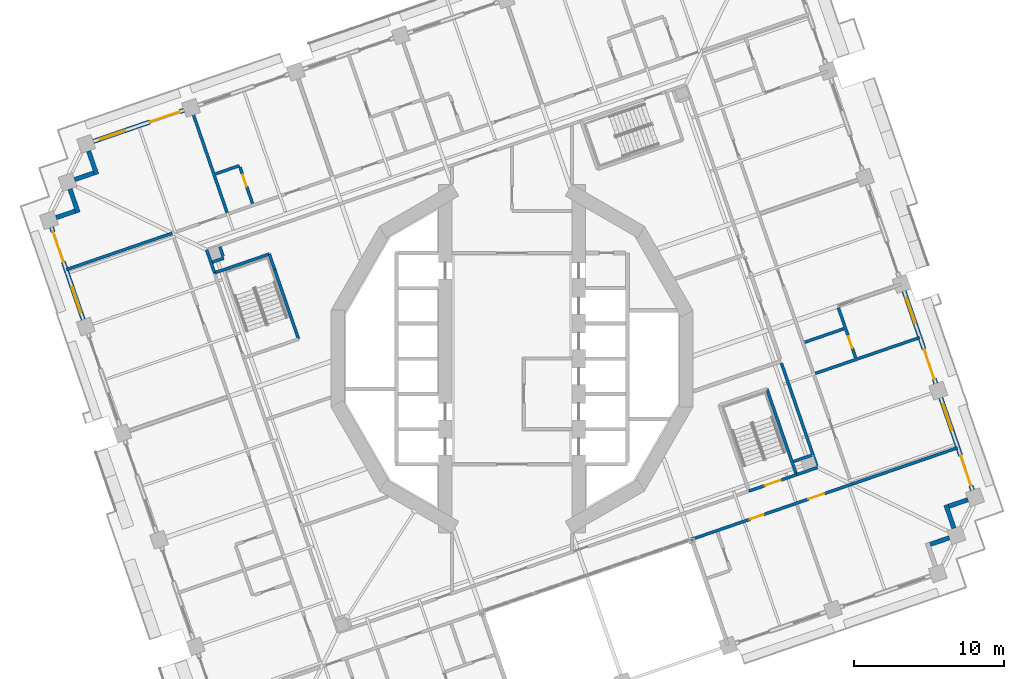
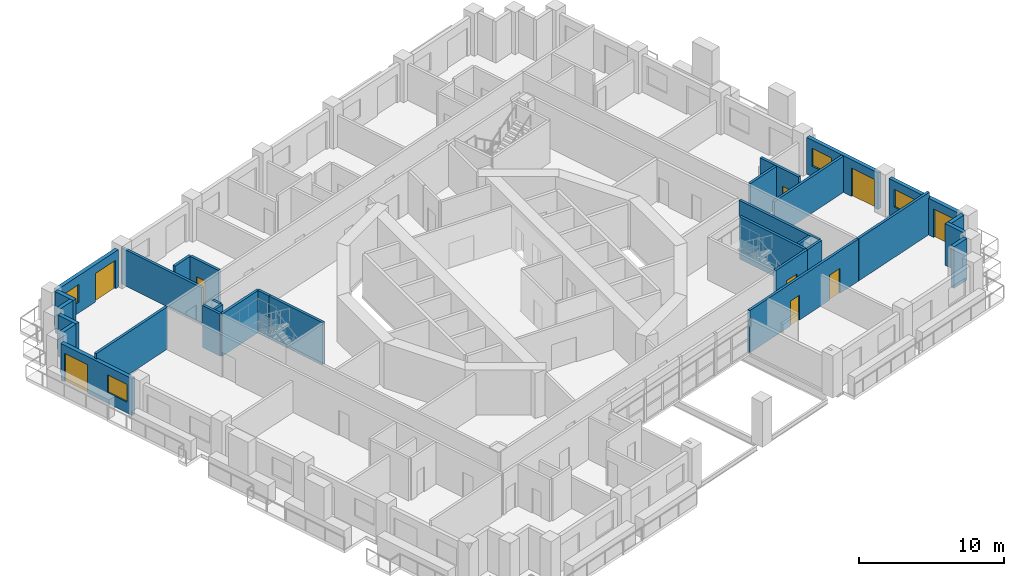
# One storey, part 11 of 22: 31 walls, 9 doors, 4 windows, 13 openings.
"""IFC4 building model written with IfcOpenShell, lengths in metres."""

from ifc_helpers import new_model, si_unit, direction, frame, frame_2d, origin, place, context, subcontext, project, spatial, rectangle, extrude, material, layer, layer_set, type_object, element, fill, save


model = new_model("IFC4")

# Units and contexts
model_context = context("Model", 3, precision=1e-05, world=origin(), true_north=direction((0.0, 1.0)))
body_context = subcontext(model_context, "Body", "Model", "MODEL_VIEW")
ifc_project = project(units=[si_unit("LENGTHUNIT", "METRE"), si_unit("AREAUNIT", "SQUARE_METRE"), si_unit("VOLUMEUNIT", "CUBIC_METRE"), si_unit("PLANEANGLEUNIT", "RADIAN"), si_unit("MASSUNIT", "GRAM", prefix="KILO")], contexts=[model_context])

# Site, building, storey
site_placement = place(None, origin())
site = spatial("IfcSite", under=ifc_project, at=site_placement, CompositionType="ELEMENT")
building_placement = place(site_placement, origin())
building = spatial("IfcBuilding", under=site, at=building_placement, Name="Cantera Rosa Tower", CompositionType="ELEMENT")
storey_placement = place(building_placement, frame((0.0, 0.0, 107.89990234375)))
storey = spatial("IfcBuildingStorey", under=building, at=storey_placement, Name="L21", CompositionType="ELEMENT", Elevation=107.89990234375)

# Wall
ifc_material_1 = material(Name="Gypsum board partition")
ifc_layer_1 = layer(ifc_material_1, 0.199951171875)
ifc_layer_set_1 = layer_set([ifc_layer_1], Name="CORRIDOR WALL 200 H3550")
wall_type_1 = type_object("IfcWallType", Name="CORRIDOR WALL 200 H3550", PredefinedType="PARTITIONING", material=ifc_layer_set_1)
wall_1_placement = place(storey_placement, frame((-20.37451171875, 7.262451171875, 0.0), z_axis=(0.0, 0.0, 1.0), x_axis=(0.325532736599, -0.945530770204, 0.0)))
element("IfcWall", 1, at=wall_1_placement, inside=storey, type_object=wall_type_1, Name="CORRIDOR WALL L21-003", PredefinedType="PARTITIONING", context=body_context, shape_type="SweptSolid", body=[
    extrude(rectangle(XDim=1.626708984375, YDim=0.199951171875, at=frame_2d((0.8134765625, 0.0))), origin(), (0.0, 0.0, 1.0), 3.550048828125),
])

# Wall, openings, doors
wall_2_placement = place(storey_placement, frame((11.85986328125, -12.097900390625, 0.0), z_axis=(0.0, 0.0, 1.0), x_axis=(0.945521627167, 0.325559291927, 0.0)))
wall_2 = element("IfcWall", 2, at=wall_2_placement, inside=storey, type_object=wall_type_1, Name="CORRIDOR WALL L21-024", PredefinedType="PARTITIONING", context=body_context, shape_type="SweptSolid", body=[
    extrude(rectangle(XDim=11.4248046875, YDim=0.199951171875, at=frame_2d((5.71240234375, 0.0))), origin(), (0.0, 0.0, 1.0), 3.550048828125),
])
opening_1_placement = place(wall_2_placement, frame((4.25, 0.0, 0.0)))
opening_1 = element("IfcOpeningElement", 3, at=opening_1_placement, cuts=wall_2, Name="Opening L21-044", PredefinedType="OPENING", context=body_context, shape_type="SweptSolid", body=[
    extrude(rectangle(XDim=0.949951171875, YDim=2.10009765625, at=frame_2d((0.47509765625, 1.050048828125))), frame((0.0, 0.10986328125, 0.0), z_axis=(0.0, -1.0, 0.0), x_axis=(1.0, 0.0, 0.0)), (0.0, 0.0, 1.0), 0.219970703125),
])
opening_2_placement = place(wall_2_placement, frame((8.375, 0.0, 0.0)))
opening_2 = element("IfcOpeningElement", 4, at=opening_2_placement, cuts=wall_2, Name="Opening L21-048", PredefinedType="OPENING", context=body_context, shape_type="SweptSolid", body=[
    extrude(rectangle(XDim=1.10009765625, YDim=2.10009765625, at=frame_2d((0.550048828125, 1.050048828125))), frame((0.0, 0.10986328125, 0.0), z_axis=(0.0, -1.0, 0.0), x_axis=(1.0, 0.0, 0.0)), (0.0, 0.0, 1.0), 0.219970703125),
])
ifc_material_2 = material(Name="Timber door leaf", Category="wood")
door_type_1 = type_object("IfcDoorType", Name="ROOM DOOR 1100x2100", OperationType="NOTDEFINED", PredefinedType="DOOR", material=ifc_material_2)
door_1_placement = place(opening_2_placement, origin())
door_1 = element("IfcDoor", 5, at=door_1_placement, inside=storey, type_object=door_type_1, Name="DOOR L21-048", OperationType="NOTDEFINED", OverallHeight=2.10009765625, OverallWidth=1.10009765625, PredefinedType="DOOR", context=body_context, shape_type="SweptSolid", body=[
    extrude(rectangle(XDim=1.10009765625, YDim=2.10009765625, at=frame_2d((0.550048828125, 1.050048828125))), frame((0.0, 0.02490234375, 0.0), z_axis=(0.0, -1.0, 0.0), x_axis=(1.0, 0.0, 0.0)), (0.0, 0.0, 1.0), 0.050048828125),
])
fill(opening_2, door_1)
ifc_material_3 = material(Name="Timber door leaf", Category="wood")
door_type_2 = type_object("IfcDoorType", Name="ROOM DOOR 950x2100", OperationType="NOTDEFINED", PredefinedType="DOOR", material=ifc_material_3)
door_2_placement = place(opening_1_placement, origin())
door_2 = element("IfcDoor", 6, at=door_2_placement, inside=storey, type_object=door_type_2, Name="DOOR L21-044", OperationType="NOTDEFINED", OverallHeight=2.10009765625, OverallWidth=0.949951171875, PredefinedType="DOOR", context=body_context, shape_type="SweptSolid", body=[
    extrude(rectangle(XDim=0.949951171875, YDim=2.10009765625, at=frame_2d((0.47509765625, 1.050048828125))), frame((0.0, 0.02490234375, 0.0), z_axis=(0.0, -1.0, 0.0), x_axis=(1.0, 0.0, 0.0)), (0.0, 0.0, 1.0), 0.050048828125),
])
fill(opening_1, door_2)

# Walls
wall_3_placement = place(storey_placement, frame((18.978271484375, -7.7431640625, 0.0), z_axis=(0.0, 0.0, 1.0), x_axis=(0.945529243519, 0.32553717092, 0.0)))
element("IfcWall", 7, at=wall_3_placement, inside=storey, type_object=wall_type_1, Name="CORRIDOR WALL L21-106", PredefinedType="PARTITIONING", context=body_context, shape_type="SweptSolid", body=[
    extrude(rectangle(XDim=1.4765625, YDim=0.199951171875, at=frame_2d((0.73828125, 0.0))), origin(), (0.0, 0.0, 1.0), 3.550048828125),
])
wall_4_placement = place(storey_placement, frame((20.33544921875, -7.14892578125, 0.0), z_axis=(0.0, 0.0, 1.0), x_axis=(-0.32558015452, 0.945514443561, 0.0)))
element("IfcWall", 8, at=wall_4_placement, inside=storey, type_object=wall_type_1, Name="CORRIDOR WALL L21-110", PredefinedType="PARTITIONING", context=body_context, shape_type="SweptSolid", body=[
    extrude(rectangle(XDim=7.239990234375, YDim=0.199951171875, at=frame_2d((3.6201171875, 0.0))), origin(), (0.0, 0.0, 1.0), 3.550048828125),
])
ifc_material_4 = material(Name="Hollow clay masonry with cantera stone cladding", Category="masonry")
ifc_layer_2 = layer(ifc_material_4, 0.300048828125)
ifc_layer_set_2 = layer_set([ifc_layer_2], Name="EW-LOGGIA 300")
wall_type_2 = type_object("IfcWallType", Name="EW-LOGGIA 300", PredefinedType="SOLIDWALL", material=ifc_layer_set_2)
wall_5_placement = place(storey_placement, frame((-28.250732421875, 13.857421875, 0.0), z_axis=(0.0, 0.0, 1.0), x_axis=(0.325666906351, -0.945484566827, 0.0)))
element("IfcWall", 9, at=wall_5_placement, inside=storey, type_object=wall_type_2, Name="EN-L21-W14a", PredefinedType="SOLIDWALL", context=body_context, shape_type="SweptSolid", body=[
    extrude(rectangle(XDim=1.64990234375, YDim=0.300048828125, at=frame_2d((0.824951171875, 0.0))), origin(), (0.0, 0.0, 1.0), 3.5),
])
wall_6_placement = place(storey_placement, frame((-27.904052734375, 12.390380859375, 0.0), z_axis=(0.0, 0.0, 1.0), x_axis=(-0.945545797087, -0.325489086777, 0.0)))
element("IfcWall", 10, at=wall_6_placement, inside=storey, type_object=wall_type_2, Name="EN-L21-W14b", PredefinedType="SOLIDWALL", context=body_context, shape_type="SweptSolid", body=[
    extrude(rectangle(XDim=1.35009765625, YDim=0.300048828125, at=frame_2d((0.675048828125, 0.0))), origin(), (0.0, 0.0, 1.0), 3.5),
])
wall_7_placement = place(storey_placement, frame((-29.490478515625, 11.315185546875, 0.0), z_axis=(0.0, 0.0, 1.0), x_axis=(0.32553462645, -0.945530119553, 0.0)))
element("IfcWall", 11, at=wall_7_placement, inside=storey, type_object=wall_type_2, Name="EN-L21-W15a", PredefinedType="SOLIDWALL", context=body_context, shape_type="SweptSolid", body=[
    extrude(rectangle(XDim=1.64990234375, YDim=0.300048828125, at=frame_2d((0.824951171875, 0.0))), origin(), (0.0, 0.0, 1.0), 3.5),
])
wall_8_placement = place(storey_placement, frame((-29.14404296875, 9.84814453125, 0.0), z_axis=(0.0, 0.0, 1.0), x_axis=(-0.945526634763, -0.325544748006, 0.0)))
element("IfcWall", 12, at=wall_8_placement, inside=storey, type_object=wall_type_2, Name="EN-L21-W15b", PredefinedType="SOLIDWALL", context=body_context, shape_type="SweptSolid", body=[
    extrude(rectangle(XDim=1.349853515625, YDim=0.300048828125, at=frame_2d((0.6748046875, 0.0))), origin(), (0.0, 0.0, 1.0), 3.5),
])
wall_9_placement = place(storey_placement, frame((27.904052734375, -12.390380859375, 0.0), z_axis=(0.0, 0.0, 1.0), x_axis=(0.945545797087, 0.325489086777, 0.0)))
element("IfcWall", 13, at=wall_9_placement, inside=storey, type_object=wall_type_2, Name="EN-L21-W29b", PredefinedType="SOLIDWALL", context=body_context, shape_type="SweptSolid", body=[
    extrude(rectangle(XDim=1.35009765625, YDim=0.300048828125, at=frame_2d((0.675048828125, 0.0))), origin(), (0.0, 0.0, 1.0), 3.5),
])
wall_10_placement = place(storey_placement, frame((29.490478515625, -11.315185546875, 0.0), z_axis=(0.0, 0.0, 1.0), x_axis=(-0.32553462645, 0.945530119553, 0.0)))
element("IfcWall", 14, at=wall_10_placement, inside=storey, type_object=wall_type_2, Name="EN-L21-W30a", PredefinedType="SOLIDWALL", context=body_context, shape_type="SweptSolid", body=[
    extrude(rectangle(XDim=1.64990234375, YDim=0.300048828125, at=frame_2d((0.824951171875, 0.0))), origin(), (0.0, 0.0, 1.0), 3.5),
])
wall_11_placement = place(storey_placement, frame((29.14404296875, -9.84814453125, 0.0), z_axis=(0.0, 0.0, 1.0), x_axis=(0.945526634763, 0.325544748006, 0.0)))
element("IfcWall", 15, at=wall_11_placement, inside=storey, type_object=wall_type_2, Name="EN-L21-W30b", PredefinedType="SOLIDWALL", context=body_context, shape_type="SweptSolid", body=[
    extrude(rectangle(XDim=1.349853515625, YDim=0.300048828125, at=frame_2d((0.6748046875, 0.0))), origin(), (0.0, 0.0, 1.0), 3.5),
])

# Wall, openings, window, door
ifc_material_5 = material(Name="Hollow clay masonry with cantera stone cladding", Category="masonry")
ifc_layer_3 = layer(ifc_material_5, 0.300048828125)
ifc_layer_set_3 = layer_set([ifc_layer_3], Name="EW-LOGGIA 300 H3090")
wall_type_3 = type_object("IfcWallType", Name="EW-LOGGIA 300 H3090", PredefinedType="SOLIDWALL", material=ifc_layer_set_3)
wall_12_placement = place(storey_placement, frame((30.73046875, -8.773193359375, 0.0), z_axis=(0.0, 0.0, 1.0), x_axis=(-0.325580990241, 0.945514155787, 0.0)))
wall_12 = element("IfcWall", 16, at=wall_12_placement, inside=storey, type_object=wall_type_3, Name="EN-L21-W01", PredefinedType="SOLIDWALL", context=body_context, shape_type="SweptSolid", body=[
    extrude(rectangle(XDim=6.52001953125, YDim=0.300048828125, at=frame_2d((3.260009765625, 0.0))), origin(), (0.0, 0.0, 1.0), 3.090087890625),
])
opening_3_placement = place(wall_12_placement, frame((0.330078125, 0.0, 0.0)))
opening_3 = element("IfcOpeningElement", 17, at=opening_3_placement, cuts=wall_12, Name="Opening L21-TD01", PredefinedType="OPENING", context=body_context, shape_type="SweptSolid", body=[
    extrude(rectangle(XDim=2.10009765625, YDim=2.39990234375, at=frame_2d((1.050048828125, 1.199951171875))), frame((0.0, 0.159912109375, 0.0), z_axis=(0.0, -1.0, 0.0), x_axis=(1.0, 0.0, 0.0)), (0.0, 0.0, 1.0), 0.320068359375),
])
opening_4_placement = place(wall_12_placement, frame((4.239990234375, 0.0, 0.89990234375)))
opening_4 = element("IfcOpeningElement", 18, at=opening_4_placement, cuts=wall_12, Name="Opening L21-W02", PredefinedType="OPENING", context=body_context, shape_type="SweptSolid", body=[
    extrude(rectangle(XDim=1.800048828125, YDim=1.5, at=frame_2d((0.89990234375, 0.75))), frame((0.0, 0.159912109375, 0.0), z_axis=(0.0, -1.0, 0.0), x_axis=(1.0, 0.0, 0.0)), (0.0, 0.0, 1.0), 0.320068359375),
])
ifc_material_6 = material(Name="Aluminium frame with clear glass", Category="aluminium")
window_type = type_object("IfcWindowType", Name="Hotel room window 1800x1500", PartitioningType="DOUBLE_PANEL_VERTICAL", PredefinedType="WINDOW", material=ifc_material_6)
window_1_placement = place(opening_4_placement, origin())
window_1 = element("IfcWindow", 19, at=window_1_placement, inside=storey, type_object=window_type, Name="WINDOW L21-W02", OverallHeight=1.5, OverallWidth=1.800048828125, PartitioningType="SINGLE_PANEL", PredefinedType="WINDOW", context=body_context, shape_type="SweptSolid", body=[
    extrude(rectangle(XDim=1.800048828125, YDim=1.5, at=frame_2d((0.89990234375, 0.75))), frame((0.0, 0.030029296875, 0.0), z_axis=(0.0, -1.0, 0.0), x_axis=(1.0, 0.0, 0.0)), (0.0, 0.0, 1.0), 0.06005859375),
])
fill(opening_4, window_1)
ifc_material_7 = material(Name="Aluminium frame with clear glass", Category="aluminium")
door_type_3 = type_object("IfcDoorType", Name="TD-H 2100x2400", OperationType="NOTDEFINED", PredefinedType="DOOR", material=ifc_material_7)
door_3_placement = place(opening_3_placement, origin())
door_3 = element("IfcDoor", 20, at=door_3_placement, inside=storey, type_object=door_type_3, Name="LOGGIA DOOR L21-TD01", OperationType="SLIDING_TO_LEFT", OverallHeight=2.39990234375, OverallWidth=2.10009765625, PredefinedType="DOOR", context=body_context, shape_type="SweptSolid", body=[
    extrude(rectangle(XDim=2.10009765625, YDim=2.39990234375, at=frame_2d((1.050048828125, 1.199951171875))), frame((0.0, 0.02490234375, 0.0), z_axis=(0.0, -1.0, 0.0), x_axis=(1.0, 0.0, 0.0)), (0.0, 0.0, 1.0), 0.050048828125),
])
fill(opening_3, door_3)

wall_13_placement = place(storey_placement, frame((28.2822265625, -1.662841796875, 0.0), z_axis=(0.0, 0.0, 1.0), x_axis=(-0.325580990241, 0.945514155787, 0.0)))
wall_13 = element("IfcWall", 21, at=wall_13_placement, inside=storey, type_object=wall_type_3, Name="EN-L21-W02", PredefinedType="SOLIDWALL", context=body_context, shape_type="SweptSolid", body=[
    extrude(rectangle(XDim=6.52001953125, YDim=0.300048828125, at=frame_2d((3.260009765625, 0.0))), origin(), (0.0, 0.0, 1.0), 3.090087890625),
])
opening_5_placement = place(wall_13_placement, frame((0.330078125, 0.0, 0.0)))
opening_5 = element("IfcOpeningElement", 22, at=opening_5_placement, cuts=wall_13, Name="Opening L21-TD03", PredefinedType="OPENING", context=body_context, shape_type="SweptSolid", body=[
    extrude(rectangle(XDim=2.10009765625, YDim=2.39990234375, at=frame_2d((1.050048828125, 1.199951171875))), frame((0.0, 0.159912109375, 0.0), z_axis=(0.0, -1.0, 0.0), x_axis=(1.0, 0.0, 0.0)), (0.0, 0.0, 1.0), 0.320068359375),
])
opening_6_placement = place(wall_13_placement, frame((4.239990234375, 0.0, 0.89990234375)))
opening_6 = element("IfcOpeningElement", 23, at=opening_6_placement, cuts=wall_13, Name="Opening L21-W04", PredefinedType="OPENING", context=body_context, shape_type="SweptSolid", body=[
    extrude(rectangle(XDim=1.800048828125, YDim=1.5, at=frame_2d((0.89990234375, 0.75))), frame((0.0, 0.159912109375, 0.0), z_axis=(0.0, -1.0, 0.0), x_axis=(1.0, 0.0, 0.0)), (0.0, 0.0, 1.0), 0.320068359375),
])
window_2_placement = place(opening_6_placement, origin())
window_2 = element("IfcWindow", 24, at=window_2_placement, inside=storey, type_object=window_type, Name="WINDOW L21-W04", OverallHeight=1.5, OverallWidth=1.800048828125, PartitioningType="SINGLE_PANEL", PredefinedType="WINDOW", context=body_context, shape_type="SweptSolid", body=[
    extrude(rectangle(XDim=1.800048828125, YDim=1.5, at=frame_2d((0.89990234375, 0.75))), frame((0.0, 0.030029296875, 0.0), z_axis=(0.0, -1.0, 0.0), x_axis=(1.0, 0.0, 0.0)), (0.0, 0.0, 1.0), 0.06005859375),
])
fill(opening_6, window_2)
door_4_placement = place(opening_5_placement, origin())
door_4 = element("IfcDoor", 25, at=door_4_placement, inside=storey, type_object=door_type_3, Name="LOGGIA DOOR L21-TD03", OperationType="SLIDING_TO_LEFT", OverallHeight=2.39990234375, OverallWidth=2.10009765625, PredefinedType="DOOR", context=body_context, shape_type="SweptSolid", body=[
    extrude(rectangle(XDim=2.10009765625, YDim=2.39990234375, at=frame_2d((1.050048828125, 1.199951171875))), frame((0.0, 0.02490234375, 0.0), z_axis=(0.0, -1.0, 0.0), x_axis=(1.0, 0.0, 0.0)), (0.0, 0.0, 1.0), 0.050048828125),
])
fill(opening_5, door_4)

wall_14_placement = place(storey_placement, frame((-30.73046875, 8.773193359375, 0.0), z_axis=(0.0, 0.0, 1.0), x_axis=(0.325580990241, -0.945514155787, 0.0)))
wall_14 = element("IfcWall", 26, at=wall_14_placement, inside=storey, type_object=wall_type_3, Name="EN-L21-W16", PredefinedType="SOLIDWALL", context=body_context, shape_type="SweptSolid", body=[
    extrude(rectangle(XDim=6.52001953125, YDim=0.300048828125, at=frame_2d((3.260009765625, 0.0))), origin(), (0.0, 0.0, 1.0), 3.090087890625),
])
opening_7_placement = place(wall_14_placement, frame((0.330078125, 0.0, 0.0)))
opening_7 = element("IfcOpeningElement", 27, at=opening_7_placement, cuts=wall_14, Name="Opening L21-TD23", PredefinedType="OPENING", context=body_context, shape_type="SweptSolid", body=[
    extrude(rectangle(XDim=2.10009765625, YDim=2.39990234375, at=frame_2d((1.050048828125, 1.199951171875))), frame((0.0, 0.159912109375, 0.0), z_axis=(0.0, -1.0, 0.0), x_axis=(1.0, 0.0, 0.0)), (0.0, 0.0, 1.0), 0.320068359375),
])
opening_8_placement = place(wall_14_placement, frame((4.239990234375, 0.0, 0.89990234375)))
opening_8 = element("IfcOpeningElement", 28, at=opening_8_placement, cuts=wall_14, Name="Opening L21-W24", PredefinedType="OPENING", context=body_context, shape_type="SweptSolid", body=[
    extrude(rectangle(XDim=1.800048828125, YDim=1.5, at=frame_2d((0.89990234375, 0.75))), frame((0.0, 0.159912109375, 0.0), z_axis=(0.0, -1.0, 0.0), x_axis=(1.0, 0.0, 0.0)), (0.0, 0.0, 1.0), 0.320068359375),
])
window_3_placement = place(opening_8_placement, origin())
window_3 = element("IfcWindow", 29, at=window_3_placement, inside=storey, type_object=window_type, Name="WINDOW L21-W24", OverallHeight=1.5, OverallWidth=1.800048828125, PartitioningType="SINGLE_PANEL", PredefinedType="WINDOW", context=body_context, shape_type="SweptSolid", body=[
    extrude(rectangle(XDim=1.800048828125, YDim=1.5, at=frame_2d((0.89990234375, 0.75))), frame((0.0, 0.030029296875, 0.0), z_axis=(0.0, -1.0, 0.0), x_axis=(1.0, 0.0, 0.0)), (0.0, 0.0, 1.0), 0.06005859375),
])
fill(opening_8, window_3)
door_5_placement = place(opening_7_placement, origin())
door_5 = element("IfcDoor", 30, at=door_5_placement, inside=storey, type_object=door_type_3, Name="LOGGIA DOOR L21-TD23", OperationType="SLIDING_TO_LEFT", OverallHeight=2.39990234375, OverallWidth=2.10009765625, PredefinedType="DOOR", context=body_context, shape_type="SweptSolid", body=[
    extrude(rectangle(XDim=2.10009765625, YDim=2.39990234375, at=frame_2d((1.050048828125, 1.199951171875))), frame((0.0, 0.02490234375, 0.0), z_axis=(0.0, -1.0, 0.0), x_axis=(1.0, 0.0, 0.0)), (0.0, 0.0, 1.0), 0.050048828125),
])
fill(opening_7, door_5)

ifc_material_8 = material(Name="Hollow clay masonry with cantera stone cladding", Category="masonry")
ifc_layer_4 = layer(ifc_material_8, 0.300048828125)
ifc_layer_set_4 = layer_set([ifc_layer_4], Name="EW-LOGGIA 300 H3140")
wall_type_4 = type_object("IfcWallType", Name="EW-LOGGIA 300 H3140", PredefinedType="SOLIDWALL", material=ifc_layer_set_4)
wall_15_placement = place(storey_placement, frame((-21.889404296875, 16.57666015625, 0.0), z_axis=(0.0, 0.0, 1.0), x_axis=(-0.945512753621, -0.325585062219, 0.0)))
wall_15 = element("IfcWall", 31, at=wall_15_placement, inside=storey, type_object=wall_type_4, Name="EN-L21-W13", PredefinedType="SOLIDWALL", context=body_context, shape_type="SweptSolid", body=[
    extrude(rectangle(XDim=6.39990234375, YDim=0.300048828125, at=frame_2d((3.199951171875, 0.0))), origin(), (0.0, 0.0, 1.0), 3.14013671875),
])
opening_9_placement = place(wall_15_placement, frame((0.300048828125, 0.0, 0.0)))
opening_9 = element("IfcOpeningElement", 32, at=opening_9_placement, cuts=wall_15, Name="Opening L21-TD21", PredefinedType="OPENING", context=body_context, shape_type="SweptSolid", body=[
    extrude(rectangle(XDim=2.10009765625, YDim=2.39990234375, at=frame_2d((1.050048828125, 1.199951171875))), frame((0.0, 0.159912109375, 0.0), z_axis=(0.0, -1.0, 0.0), x_axis=(1.0, 0.0, 0.0)), (0.0, 0.0, 1.0), 0.320068359375),
])
opening_10_placement = place(wall_15_placement, frame((4.14990234375, 0.0, 0.89990234375)))
opening_10 = element("IfcOpeningElement", 33, at=opening_10_placement, cuts=wall_15, Name="Opening L21-W22", PredefinedType="OPENING", context=body_context, shape_type="SweptSolid", body=[
    extrude(rectangle(XDim=1.800048828125, YDim=1.5, at=frame_2d((0.89990234375, 0.75))), frame((0.0, 0.159912109375, 0.0), z_axis=(0.0, -1.0, 0.0), x_axis=(1.0, 0.0, 0.0)), (0.0, 0.0, 1.0), 0.320068359375),
])
window_4_placement = place(opening_10_placement, origin())
window_4 = element("IfcWindow", 34, at=window_4_placement, inside=storey, type_object=window_type, Name="WINDOW L21-W22", OverallHeight=1.5, OverallWidth=1.800048828125, PartitioningType="SINGLE_PANEL", PredefinedType="WINDOW", context=body_context, shape_type="SweptSolid", body=[
    extrude(rectangle(XDim=1.800048828125, YDim=1.5, at=frame_2d((0.89990234375, 0.75))), frame((0.0, 0.030029296875, 0.0), z_axis=(0.0, -1.0, 0.0), x_axis=(1.0, 0.0, 0.0)), (0.0, 0.0, 1.0), 0.06005859375),
])
fill(opening_10, window_4)
door_6_placement = place(opening_9_placement, origin())
door_6 = element("IfcDoor", 35, at=door_6_placement, inside=storey, type_object=door_type_3, Name="LOGGIA DOOR L21-TD21", OperationType="SLIDING_TO_LEFT", OverallHeight=2.39990234375, OverallWidth=2.10009765625, PredefinedType="DOOR", context=body_context, shape_type="SweptSolid", body=[
    extrude(rectangle(XDim=2.10009765625, YDim=2.39990234375, at=frame_2d((1.050048828125, 1.199951171875))), frame((0.0, 0.02490234375, 0.0), z_axis=(0.0, -1.0, 0.0), x_axis=(1.0, 0.0, 0.0)), (0.0, 0.0, 1.0), 0.050048828125),
])
fill(opening_9, door_6)

# Walls
ifc_material_9 = material(Name="Gypsum board partition")
ifc_layer_5 = layer(ifc_material_9, 0.199951171875)
ifc_layer_set_5 = layer_set([ifc_layer_5], Name="PARTITION 200 H3550")
wall_type_5 = type_object("IfcWallType", Name="PARTITION 200 H3550", PredefinedType="PARTITIONING", material=ifc_layer_set_5)
wall_16_placement = place(storey_placement, frame((-22.662353515625, 8.37841796875, 0.0), z_axis=(0.0, 0.0, 1.0), x_axis=(-0.945512517373, -0.325585748291, 0.0)))
element("IfcWall", 36, at=wall_16_placement, inside=storey, type_object=wall_type_5, Name="PARTITION L21-001", PredefinedType="PARTITIONING", context=body_context, shape_type="SweptSolid", body=[
    extrude(rectangle(XDim=7.469970703125, YDim=0.199951171875, at=frame_2d((3.73486328125, 0.0))), origin(), (0.0, 0.0, 1.0), 3.550048828125),
])
wall_17_placement = place(storey_placement, frame((-19.98681640625, 6.444091796875, 0.0), z_axis=(0.0, 0.0, 1.0), x_axis=(0.945586856903, 0.325369783557, 0.0)))
element("IfcWall", 37, at=wall_17_placement, inside=storey, type_object=wall_type_5, Name="PARTITION L21-004", PredefinedType="PARTITIONING", context=body_context, shape_type="SweptSolid", body=[
    extrude(rectangle(XDim=0.7998046875, YDim=0.199951171875, at=frame_2d((0.39990234375, 0.0))), origin(), (0.0, 0.0, 1.0), 3.550048828125),
])
wall_18_placement = place(storey_placement, frame((-19.77294921875, 12.33447265625, 0.0), z_axis=(0.0, 0.0, 1.0), x_axis=(0.945482578037, 0.3256726802, 0.0)))
element("IfcWall", 38, at=wall_18_placement, inside=storey, type_object=wall_type_5, Name="PARTITION L21-005", PredefinedType="PARTITIONING", context=body_context, shape_type="SweptSolid", body=[
    extrude(rectangle(XDim=1.679931640625, YDim=0.199951171875, at=frame_2d((0.83984375, 0.0))), origin(), (0.0, 0.0, 1.0), 3.550048828125),
])
wall_19_placement = place(storey_placement, frame((-19.26953125, 6.81787109375, 0.0), z_axis=(0.0, 0.0, 1.0), x_axis=(-0.325581333382, 0.945514037629, 0.0)))
element("IfcWall", 39, at=wall_19_placement, inside=storey, type_object=wall_type_5, Name="PARTITION L21-008", PredefinedType="PARTITIONING", context=body_context, shape_type="SweptSolid", body=[
    extrude(rectangle(XDim=0.68017578125, YDim=0.199951171875, at=frame_2d((0.340087890625, 0.0))), origin(), (0.0, 0.0, 1.0), 3.550048828125),
])

# Wall, opening, door
wall_20_placement = place(storey_placement, frame((-18.152099609375, 12.786865234375, 0.0), z_axis=(0.0, 0.0, 1.0), x_axis=(0.325608632474, -0.945504636931, 0.0)))
wall_20 = element("IfcWall", 40, at=wall_20_placement, inside=storey, type_object=wall_type_5, Name="PARTITION L21-012", PredefinedType="PARTITIONING", context=body_context, shape_type="SweptSolid", body=[
    extrude(rectangle(XDim=2.580078125, YDim=0.199951171875, at=frame_2d((1.2900390625, 0.0))), origin(), (0.0, 0.0, 1.0), 3.550048828125),
])
opening_11_placement = place(wall_20_placement, frame((0.56396484375, 0.0, 0.0)))
opening_11 = element("IfcOpeningElement", 41, at=opening_11_placement, cuts=wall_20, Name="Opening L21-032", PredefinedType="OPENING", context=body_context, shape_type="SweptSolid", body=[
    extrude(rectangle(XDim=0.800048828125, YDim=2.10009765625, at=frame_2d((0.39990234375, 1.050048828125))), frame((0.0, 0.10986328125, 0.0), z_axis=(0.0, -1.0, 0.0), x_axis=(1.0, 0.0, 0.0)), (0.0, 0.0, 1.0), 0.219970703125),
])
ifc_material_10 = material(Name="Timber door leaf", Category="wood")
door_type_4 = type_object("IfcDoorType", Name="BATHROOM DOOR 800x2100", OperationType="NOTDEFINED", PredefinedType="DOOR", material=ifc_material_10)
door_7_placement = place(opening_11_placement, origin())
door_7 = element("IfcDoor", 42, at=door_7_placement, inside=storey, type_object=door_type_4, Name="DOOR L21-032", OperationType="NOTDEFINED", OverallHeight=2.10009765625, OverallWidth=0.800048828125, PredefinedType="DOOR", context=body_context, shape_type="SweptSolid", body=[
    extrude(rectangle(XDim=0.800048828125, YDim=2.10009765625, at=frame_2d((0.39990234375, 1.050048828125))), frame((0.0, 0.02490234375, 0.0), z_axis=(0.0, -1.0, 0.0), x_axis=(1.0, 0.0, 0.0)), (0.0, 0.0, 1.0), 0.050048828125),
])
fill(opening_11, door_7)

# Walls
wall_21_placement = place(storey_placement, frame((19.526611328125, 1.096923828125, 0.0), z_axis=(0.0, 0.0, 1.0), x_axis=(0.945505446379, 0.325606281984, 0.0)))
element("IfcWall", 43, at=wall_21_placement, inside=storey, type_object=wall_type_5, Name="PARTITION L21-107", PredefinedType="PARTITIONING", context=body_context, shape_type="SweptSolid", body=[
    extrude(rectangle(XDim=2.760009765625, YDim=0.199951171875, at=frame_2d((1.3798828125, 0.0))), origin(), (0.0, 0.0, 1.0), 3.550048828125),
])
wall_22_placement = place(storey_placement, frame((19.98681640625, -6.444091796875, 0.0), z_axis=(0.0, 0.0, 1.0), x_axis=(-0.94553951581, -0.325507333315, 0.0)))
element("IfcWall", 44, at=wall_22_placement, inside=storey, type_object=wall_type_5, Name="PARTITION L21-108", PredefinedType="PARTITIONING", context=body_context, shape_type="SweptSolid", body=[
    extrude(rectangle(XDim=1.276611328125, YDim=0.199951171875, at=frame_2d((0.63818359375, 0.0))), origin(), (0.0, 0.0, 1.0), 3.550048828125),
])

# Wall, opening, door
wall_23_placement = place(storey_placement, frame((22.927001953125, 0.068115234375, 0.0), z_axis=(0.0, 0.0, 1.0), x_axis=(-0.325575965973, 0.945515885843, 0.0)))
wall_23 = element("IfcWall", 45, at=wall_23_placement, inside=storey, type_object=wall_type_5, Name="PARTITION L21-114", PredefinedType="PARTITIONING", context=body_context, shape_type="SweptSolid", body=[
    extrude(rectangle(XDim=3.52001953125, YDim=0.199951171875, at=frame_2d((1.760009765625, 0.0))), origin(), (0.0, 0.0, 1.0), 3.550048828125),
])
opening_12_placement = place(wall_23_placement, frame((0.68994140625, 0.0, 0.0)))
opening_12 = element("IfcOpeningElement", 46, at=opening_12_placement, cuts=wall_23, Name="Opening L21-020", PredefinedType="OPENING", context=body_context, shape_type="SweptSolid", body=[
    extrude(rectangle(XDim=0.800048828125, YDim=2.10009765625, at=frame_2d((0.39990234375, 1.050048828125))), frame((0.0, 0.10986328125, 0.0), z_axis=(0.0, -1.0, 0.0), x_axis=(1.0, 0.0, 0.0)), (0.0, 0.0, 1.0), 0.219970703125),
])
door_8_placement = place(opening_12_placement, origin())
door_8 = element("IfcDoor", 47, at=door_8_placement, inside=storey, type_object=door_type_4, Name="DOOR L21-020", OperationType="NOTDEFINED", OverallHeight=2.10009765625, OverallWidth=0.800048828125, PredefinedType="DOOR", context=body_context, shape_type="SweptSolid", body=[
    extrude(rectangle(XDim=0.800048828125, YDim=2.10009765625, at=frame_2d((0.39990234375, 1.050048828125))), frame((0.0, 0.02490234375, 0.0), z_axis=(0.0, -1.0, 0.0), x_axis=(1.0, 0.0, 0.0)), (0.0, 0.0, 1.0), 0.050048828125),
])
fill(opening_12, door_8)

# Walls
wall_24_placement = place(storey_placement, frame((29.725341796875, -5.9462890625, 0.0), z_axis=(0.0, 0.0, 1.0), x_axis=(-0.945513938048, -0.325581622574, 0.0)))
element("IfcWall", 48, at=wall_24_placement, inside=storey, type_object=wall_type_5, Name="PARTITION L21-115", PredefinedType="PARTITIONING", context=body_context, shape_type="SweptSolid", body=[
    extrude(rectangle(XDim=7.449951171875, YDim=0.199951171875, at=frame_2d((3.72509765625, 0.0))), origin(), (0.0, 0.0, 1.0), 3.550048828125),
])
ifc_material_11 = material(Name="Gypsum board partition")
ifc_layer_6 = layer(ifc_material_11, 0.199951171875)
ifc_layer_set_6 = layer_set([ifc_layer_6], Name="PARTY WALL 200 H3050")
wall_type_6 = type_object("IfcWallType", Name="PARTY WALL 200 H3050", PredefinedType="PARTITIONING", material=ifc_layer_set_6)
wall_25_placement = place(storey_placement, frame((-19.00732421875, 9.74267578125, 0.0), z_axis=(0.0, 0.0, 1.0), x_axis=(-0.325603730276, 0.945506325114, 0.0)))
element("IfcWall", 49, at=wall_25_placement, inside=storey, type_object=wall_type_6, Name="PARTY WALL L21-009", PredefinedType="PARTITIONING", context=body_context, shape_type="SweptSolid", body=[
    extrude(rectangle(XDim=7.369873046875, YDim=0.199951171875, at=frame_2d((3.68505859375, 0.0))), origin(), (0.0, 0.0, 1.0), 3.050048828125),
])
wall_26_placement = place(storey_placement, frame((20.242919921875, -0.983154296875, 0.0), z_axis=(0.0, 0.0, 1.0), x_axis=(0.945511269654, 0.32558937169, 0.0)))
element("IfcWall", 50, at=wall_26_placement, inside=storey, type_object=wall_type_6, Name="PARTY WALL L21-109", PredefinedType="PARTITIONING", context=body_context, shape_type="SweptSolid", body=[
    extrude(rectangle(XDim=7.349853515625, YDim=0.199951171875, at=frame_2d((3.6748046875, 0.0))), origin(), (0.0, 0.0, 1.0), 3.050048828125),
])
ifc_material_12 = material(Name="Concrete C50/60", Category="concrete")
ifc_layer_7 = layer(ifc_material_12, 0.199951171875)
ifc_layer_set_7 = layer_set([ifc_layer_7], Name="STAIR WALL 200 H3550")
wall_type_7 = type_object("IfcWallType", Name="STAIR WALL 200 H3550", PredefinedType="SOLIDWALL", material=ifc_layer_set_7)
wall_27_placement = place(storey_placement, frame((-16.193115234375, 6.98193359375, 0.0), z_axis=(0.0, 0.0, 1.0), x_axis=(-0.945507920529, -0.325599097382, 0.0)))
element("IfcWall", 51, at=wall_27_placement, inside=storey, type_object=wall_type_7, Name="STAIR WALL L21-016", PredefinedType="SOLIDWALL", context=body_context, shape_type="SweptSolid", body=[
    extrude(rectangle(XDim=3.8623046875, YDim=0.199951171875, at=frame_2d((1.93115234375, 0.0))), origin(), (0.0, 0.0, 1.0), 3.550048828125),
])
wall_28_placement = place(storey_placement, frame((-14.239501953125, 1.308837890625, 0.0), z_axis=(0.0, 0.0, 1.0), x_axis=(-0.325599106316, 0.945507917453, 0.0)))
element("IfcWall", 52, at=wall_28_placement, inside=storey, type_object=wall_type_7, Name="STAIR WALL L21-019", PredefinedType="SOLIDWALL", context=body_context, shape_type="SweptSolid", body=[
    extrude(rectangle(XDim=4.900146484375, YDim=0.199951171875, at=frame_2d((2.4501953125, 0.0))), origin(), (0.0, 0.0, 1.0), 3.550048828125),
])

# Wall, opening, door
wall_29_placement = place(storey_placement, frame((15.810791015625, -8.833740234375, 0.0), z_axis=(0.0, 0.0, 1.0), x_axis=(0.945525450469, 0.325548187702, 0.0)))
wall_29 = element("IfcWall", 53, at=wall_29_placement, inside=storey, type_object=wall_type_7, Name="STAIR WALL L21-098", PredefinedType="SOLIDWALL", context=body_context, shape_type="SweptSolid", body=[
    extrude(rectangle(XDim=3.349853515625, YDim=0.199951171875, at=frame_2d((1.6748046875, 0.0))), origin(), (0.0, 0.0, 1.0), 3.550048828125),
])
opening_13_placement = place(wall_29_placement, frame((1.125, 0.0, 0.0)))
opening_13 = element("IfcOpeningElement", 54, at=opening_13_placement, cuts=wall_29, Name="Opening L21-003", PredefinedType="OPENING", context=body_context, shape_type="SweptSolid", body=[
    extrude(rectangle(XDim=1.10009765625, YDim=2.10009765625, at=frame_2d((0.550048828125, 1.050048828125))), frame((0.0, 0.10986328125, 0.0), z_axis=(0.0, -1.0, 0.0), x_axis=(1.0, 0.0, 0.0)), (0.0, 0.0, 1.0), 0.219970703125),
])
ifc_material_13 = material(Name="Steel S355J2 (EN 10025-2)", Category="steel")
door_type_5 = type_object("IfcDoorType", Name="STAIR DOOR 1100x2100", OperationType="NOTDEFINED", PredefinedType="DOOR", material=ifc_material_13)
door_9_placement = place(opening_13_placement, origin())
door_9 = element("IfcDoor", 55, at=door_9_placement, inside=storey, type_object=door_type_5, Name="DOOR L21-003", OperationType="NOTDEFINED", OverallHeight=2.10009765625, OverallWidth=1.10009765625, PredefinedType="DOOR", context=body_context, shape_type="SweptSolid", body=[
    extrude(rectangle(XDim=1.10009765625, YDim=2.10009765625, at=frame_2d((0.550048828125, 1.050048828125))), frame((0.0, 0.02490234375, 0.0), z_axis=(0.0, -1.0, 0.0), x_axis=(1.0, 0.0, 0.0)), (0.0, 0.0, 1.0), 0.050048828125),
])
fill(opening_13, door_9)

# Walls
wall_30_placement = place(storey_placement, frame((17.007080078125, -2.01806640625, 0.0), z_axis=(0.0, 0.0, 1.0), x_axis=(0.325550760545, -0.945524564625, 0.0)))
element("IfcWall", 56, at=wall_30_placement, inside=storey, type_object=wall_type_7, Name="STAIR WALL L21-103", PredefinedType="SOLIDWALL", context=body_context, shape_type="SweptSolid", body=[
    extrude(rectangle(XDim=6.054931640625, YDim=0.199951171875, at=frame_2d((3.02734375, 0.0))), origin(), (0.0, 0.0, 1.0), 3.550048828125),
])
wall_31_placement = place(storey_placement, frame((-15.8349609375, 5.94189453125, 0.0), z_axis=(0.0, 0.0, 1.0), x_axis=(-0.325600768791, 0.945507344955, 0.0)))
element("IfcWall", 57, at=wall_31_placement, inside=storey, type_object=wall_type_7, Name="STAIR WALL L21-019 J", PredefinedType="SOLIDWALL", context=body_context, shape_type="SweptSolid", body=[
    extrude(rectangle(XDim=1.10009765625, YDim=0.199951171875, at=frame_2d((0.550048828125, 0.0))), origin(), (0.0, 0.0, 1.0), 3.550048828125),
])

save(model, "model.ifc")
